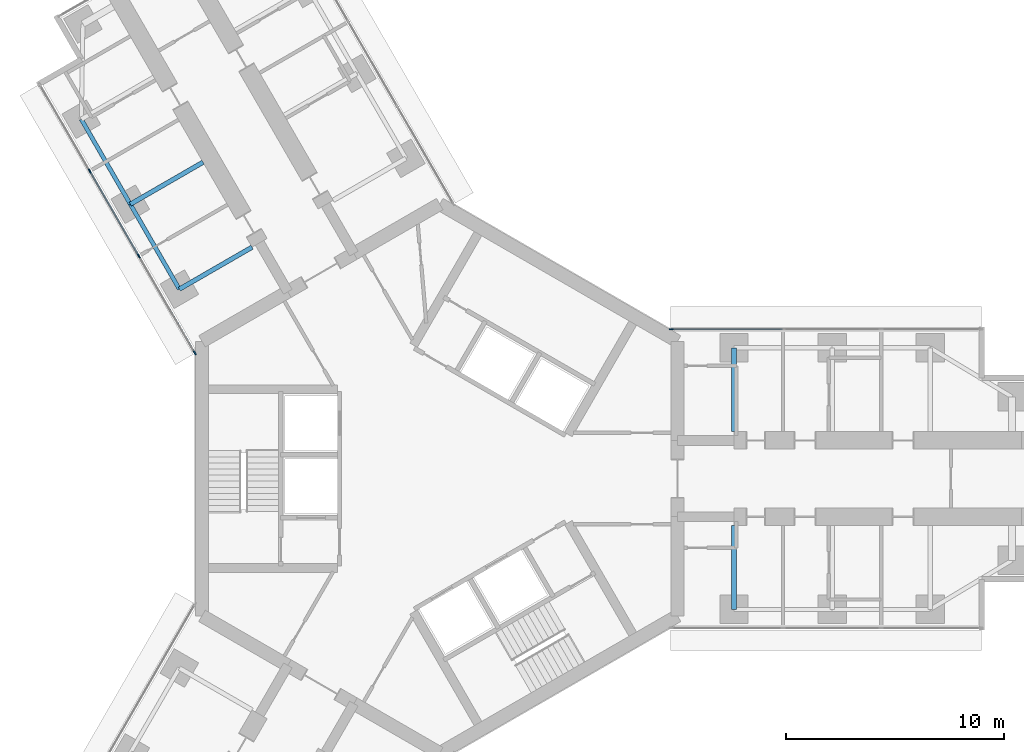
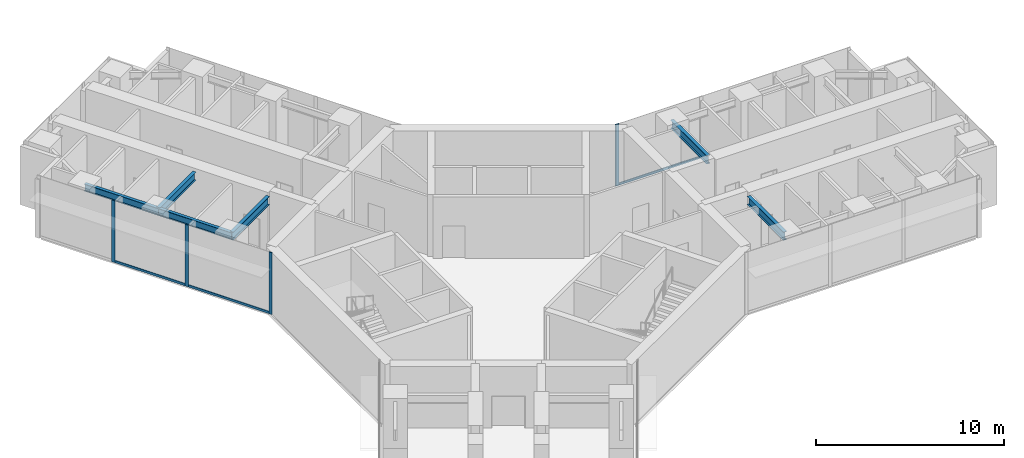
# One storey, part 5 of 22: 7 members, 6 beams, 2 elements without a shape of their own.
"""IFC4 building model written with IfcOpenShell, lengths in metres."""

from ifc_helpers import new_model, si_unit, direction, frame, origin, origin_2d, place, context, subcontext, project, spatial, rectangle, i_section, extrude, material, material_profile, profile_set, type_object, element, aggregate, save


model = new_model("IFC4")

# Units and contexts
model_context = context("Model", 3, precision=1e-05, world=origin(), true_north=direction((0.0, 1.0)))
body_context = subcontext(model_context, "Body", "Model", "MODEL_VIEW")
ifc_project = project(units=[si_unit("LENGTHUNIT", "METRE"), si_unit("AREAUNIT", "SQUARE_METRE"), si_unit("VOLUMEUNIT", "CUBIC_METRE"), si_unit("PLANEANGLEUNIT", "RADIAN"), si_unit("MASSUNIT", "GRAM", prefix="KILO")], contexts=[model_context])

# Site, building, storey
site_placement = place(None, origin())
site = spatial("IfcSite", under=ifc_project, at=site_placement, CompositionType="ELEMENT")
building_placement = place(site_placement, origin())
building = spatial("IfcBuilding", under=site, at=building_placement, Name="Upepo Twin Towers", CompositionType="ELEMENT")
storey_placement = place(building_placement, frame((0.0, 0.0, 137.5)))
storey = spatial("IfcBuildingStorey", under=building, at=storey_placement, Name="L33", CompositionType="ELEMENT", Elevation=137.5)

# Beams
ifc_material_1 = material(Name="Steel S355", Category="steel")
ifc_material_profile_1 = material_profile(ifc_material_1, i_section(OverallWidth=0.1904296875, OverallDepth=0.45703125, WebThickness=0.009033203125, FlangeThickness=0.014404296875, FilletRadius=0.01025390625, at=origin_2d()), Name="UB 457x191x74")
ifc_profile_set_1 = profile_set([ifc_material_profile_1], Name="Steel S355")
beam_type_1 = type_object("IfcBeamType", Name="Beam UB 457x191x74", PredefinedType="BEAM", material=ifc_profile_set_1)
beam_1_placement = place(storey_placement, frame((-11.946044921875, 8.69140625, 3.571533203125), z_axis=(-0.500013631625, 0.866017533419, 0.0), x_axis=(-0.866017533419, -0.500013631625, 0.0)))
element("IfcBeam", 1, at=beam_1_placement, inside=storey, type_object=beam_type_1, Name="T1 edge beam BL 13.5-18.0", PredefinedType="BEAM", context=body_context, shape_type="SweptSolid", body=[
    extrude(i_section(OverallWidth=0.1904296875, OverallDepth=0.45703125, WebThickness=0.009033203125, FlangeThickness=0.014404296875, FilletRadius=0.01025390625, at=origin_2d()), origin(), (0.0, 0.0, 1.0), 4.499755859375),
])
beam_2_placement = place(storey_placement, frame((-14.196044921875, 12.58837890625, 3.571533203125), z_axis=(-0.499990139034, 0.866031096941, 0.0), x_axis=(-0.866031096941, -0.499990139034, 0.0)))
element("IfcBeam", 2, at=beam_2_placement, inside=storey, type_object=beam_type_1, Name="T1 edge beam BL 18.0-22.5", PredefinedType="BEAM", context=body_context, shape_type="SweptSolid", body=[
    extrude(i_section(OverallWidth=0.1904296875, OverallDepth=0.45703125, WebThickness=0.009033203125, FlangeThickness=0.014404296875, FilletRadius=0.01025390625, at=origin_2d()), origin(), (0.0, 0.0, 1.0), 4.5),
])
ifc_material_2 = material(Name="Steel S355", Category="steel")
ifc_material_profile_2 = material_profile(ifc_material_2, i_section(OverallWidth=0.209228515625, OverallDepth=0.533203125, WebThickness=0.010009765625, FlangeThickness=0.015625, FilletRadius=0.0126953125, at=origin_2d()), Name="UB 533x210x92")
ifc_profile_set_2 = profile_set([ifc_material_profile_2], Name="Steel S355")
beam_type_2 = type_object("IfcBeamType", Name="Beam UB 533x210x92", PredefinedType="BEAM", material=ifc_profile_set_2)
for number, where, z_axis, x_axis, name in (
    (3, (13.5, 6.0, 3.533447265625), (0.0, -1.0, 0.0), (1.0, 0.0, 0.0), "T1 girder AL at 13.5"),
    (4, (13.5, -6.0, 3.533447265625), (0.0, 1.0, 0.0), (-1.0, 0.0, 0.0), "T1 girder AR at 13.5"),
):
    element("IfcBeam", number, at=place(storey_placement, frame(where, z_axis=z_axis, x_axis=x_axis)), inside=storey, type_object=beam_type_2, Name=name, PredefinedType="BEAM", context=body_context, shape_type="SweptSolid", body=[
        extrude(i_section(OverallWidth=0.209228515625, OverallDepth=0.533203125, WebThickness=0.010009765625, FlangeThickness=0.015625, FilletRadius=0.0126953125, at=origin_2d()), origin(), (0.0, 0.0, 1.0), 3.85009765625),
    ])
for number, where, z_axis, x_axis, name in (
    (5, (-11.946044921875, 8.69140625, 3.533447265625), (0.866006051527, 0.500033517596, 0.0), (-0.500033517596, 0.866006051527, 0.0), "T1 girder BL at 13.5"),
    (6, (-14.196044921875, 12.58837890625, 3.533447265625), (0.866006051527, 0.500033517596, 0.0), (-0.500033517596, 0.866006051527, 0.0), "T1 girder BL at 18.0"),
):
    element("IfcBeam", number, at=place(storey_placement, frame(where, z_axis=z_axis, x_axis=x_axis)), inside=storey, type_object=beam_type_2, Name=name, PredefinedType="BEAM", context=body_context, shape_type="SweptSolid", body=[
        extrude(i_section(OverallWidth=0.209228515625, OverallDepth=0.533203125, WebThickness=0.010009765625, FlangeThickness=0.015625, FilletRadius=0.0126953125, at=origin_2d()), origin(), (0.0, 0.0, 1.0), 3.849853515625),
    ])

# Curtain wall, member
ifc_material_3 = material(Name="Aluminium and fritted glass", Category="aluminium")
curtain_wall_type = type_object("IfcCurtainWallType", Name="Tower curtain wall TW2, fritted glass", PredefinedType="NOTDEFINED", material=ifc_material_3)
curtain_wall_1_placement = place(storey_placement, origin())
curtain_wall_1 = element("IfcCurtainWall", 7, at=curtain_wall_1_placement, inside=storey, type_object=curtain_wall_type, Name="T1 L33 wing A flank L curtain wall", PredefinedType="NOTDEFINED")
ifc_material_4 = material(Name="Aluminium mullion", Category="aluminium")
ifc_material_profile_3 = material_profile(ifc_material_4, rectangle(XDim=0.06494140625, YDim=0.199951171875, at=origin_2d()), Name="MULLION 65x200")
ifc_profile_set_3 = profile_set([ifc_material_profile_3], Name="Aluminium mullion")
member_type_1 = type_object("IfcMemberType", Name="Mullion 65x200 TW2", PredefinedType="MULLION", material=ifc_profile_set_3)
member_1_placement = place(storey_placement, frame((10.61962890625, 6.85009765625, 0.0), z_axis=(0.0, 0.0, 1.0), x_axis=(0.0, 1.0, 0.0)))
member_1 = element("IfcMember", 8, at=member_1_placement, type_object=member_type_1, Name="T1 L33 wing A flank L curtain wall mullion 1", PredefinedType="MULLION", context=body_context, shape_type="SweptSolid", body=[
    extrude(rectangle(XDim=0.06494140625, YDim=0.199951171875, at=origin_2d()), origin(), (0.0, 0.0, 1.0), 4.0),
])

# Curtain wall, members
curtain_wall_2_placement = place(storey_placement, origin())
curtain_wall_2 = element("IfcCurtainWall", 9, at=curtain_wall_2_placement, inside=storey, type_object=curtain_wall_type, Name="T1 L33 wing B flank L curtain wall", PredefinedType="NOTDEFINED")
member_2_placement = place(storey_placement, frame((-11.2421875, 5.77197265625, 0.0), z_axis=(0.0, 0.0, 1.0), x_axis=(-0.866025397833, -0.500000010308, 0.0)))
member_2 = element("IfcMember", 10, at=member_2_placement, type_object=member_type_1, Name="T1 L33 wing B flank L curtain wall mullion 1", PredefinedType="MULLION", context=body_context, shape_type="SweptSolid", body=[
    extrude(rectangle(XDim=0.06494140625, YDim=0.199951171875, at=origin_2d()), origin(), (0.0, 0.0, 1.0), 4.0),
])
member_3_placement = place(storey_placement, frame((-13.807373046875, 10.21484375, 0.0), z_axis=(0.0, 0.0, 1.0), x_axis=(-0.866025397833, -0.500000010308, 0.0)))
member_3 = element("IfcMember", 11, at=member_3_placement, type_object=member_type_1, Name="T1 L33 wing B flank L curtain wall mullion 2", PredefinedType="MULLION", context=body_context, shape_type="SweptSolid", body=[
    extrude(rectangle(XDim=0.06494140625, YDim=0.199951171875, at=origin_2d()), origin(), (0.0, 0.0, 1.0), 4.0),
])
member_4_placement = place(storey_placement, frame((-16.057373046875, 14.112060546875, 0.0), z_axis=(0.0, 0.0, 1.0), x_axis=(-0.866025397833, -0.500000010308, 0.0)))
member_4 = element("IfcMember", 12, at=member_4_placement, type_object=member_type_1, Name="T1 L33 wing B flank L curtain wall mullion 3", PredefinedType="MULLION", context=body_context, shape_type="SweptSolid", body=[
    extrude(rectangle(XDim=0.06494140625, YDim=0.199951171875, at=origin_2d()), origin(), (0.0, 0.0, 1.0), 4.0),
])

# Member
ifc_material_5 = material(Name="Aluminium transom", Category="aluminium")
ifc_material_profile_4 = material_profile(ifc_material_5, rectangle(XDim=0.06494140625, YDim=0.14990234375, at=origin_2d()), Name="TRANSOM 65x150")
ifc_profile_set_4 = profile_set([ifc_material_profile_4], Name="Aluminium transom")
member_type_2 = type_object("IfcMemberType", Name="Transom 65x150 TW2", PredefinedType="USERDEFINED", material=ifc_profile_set_4)
member_5_placement = place(storey_placement, frame((10.652099609375, 6.85009765625, 0.074951171875), z_axis=(1.0, 0.0, 0.0), x_axis=(0.0, 1.0, 0.0)))
member_5 = element("IfcMember", 13, at=member_5_placement, type_object=member_type_2, Name="T1 L33 wing A flank L curtain wall transom 1", ObjectType="TRANSOM", PredefinedType="USERDEFINED", context=body_context, shape_type="SweptSolid", body=[
    extrude(rectangle(XDim=0.06494140625, YDim=0.14990234375, at=origin_2d()), origin(), (0.0, 0.0, 1.0), 5.0654296875),
])

aggregate(curtain_wall_1, [member_1, member_5])

member_6_placement = place(storey_placement, frame((-11.25830078125, 5.800048828125, 0.074951171875), z_axis=(-0.500006158363, 0.866021848223, 0.0), x_axis=(-0.866021848223, -0.500006158363, 0.0)))
member_6 = element("IfcMember", 14, at=member_6_placement, type_object=member_type_2, Name="T1 L33 wing B flank L curtain wall transom 1", ObjectType="TRANSOM", PredefinedType="USERDEFINED", context=body_context, shape_type="SweptSolid", body=[
    extrude(rectangle(XDim=0.06494140625, YDim=0.14990234375, at=origin_2d()), origin(), (0.0, 0.0, 1.0), 5.0654296875),
])

member_7_placement = place(storey_placement, frame((-13.823486328125, 10.2431640625, 0.074951171875), z_axis=(-0.500005184116, 0.866022410713, 0.0), x_axis=(-0.866022410713, -0.500005184116, 0.0)))
member_7 = element("IfcMember", 15, at=member_7_placement, type_object=member_type_2, Name="T1 L33 wing B flank L curtain wall transom 2", ObjectType="TRANSOM", PredefinedType="USERDEFINED", context=body_context, shape_type="SweptSolid", body=[
    extrude(rectangle(XDim=0.06494140625, YDim=0.14990234375, at=origin_2d()), origin(), (0.0, 0.0, 1.0), 4.43505859375),
])

aggregate(curtain_wall_2, [member_2, member_3, member_4, member_6, member_7])

save(model, "model.ifc")
